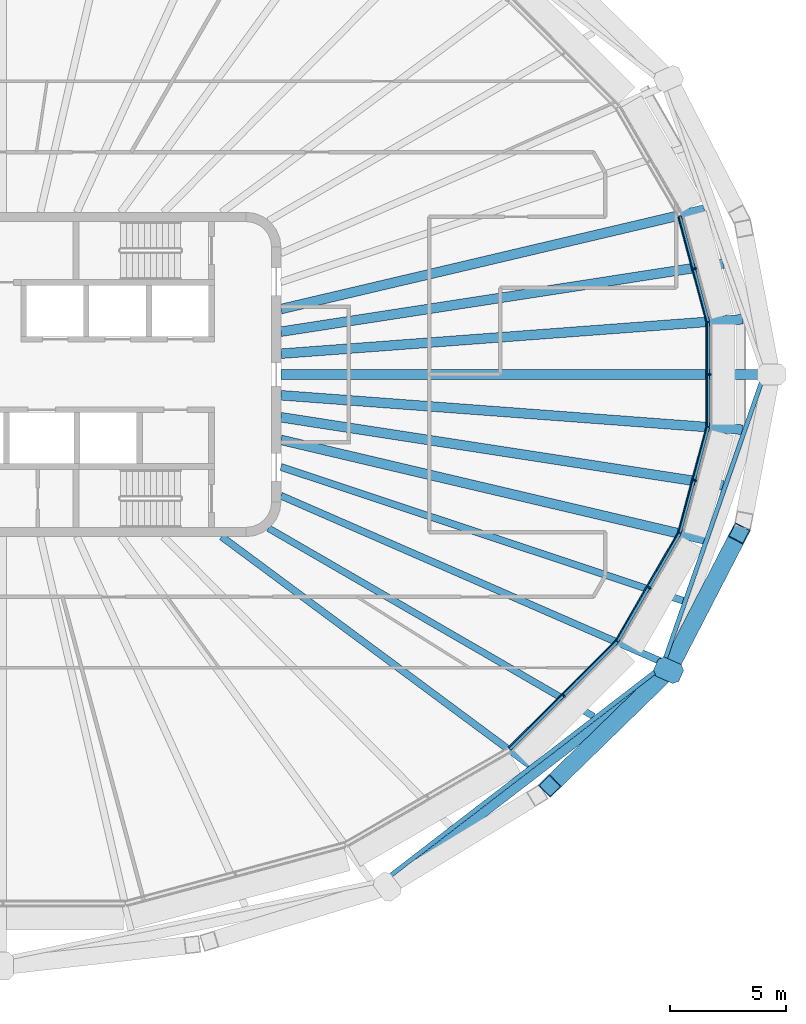
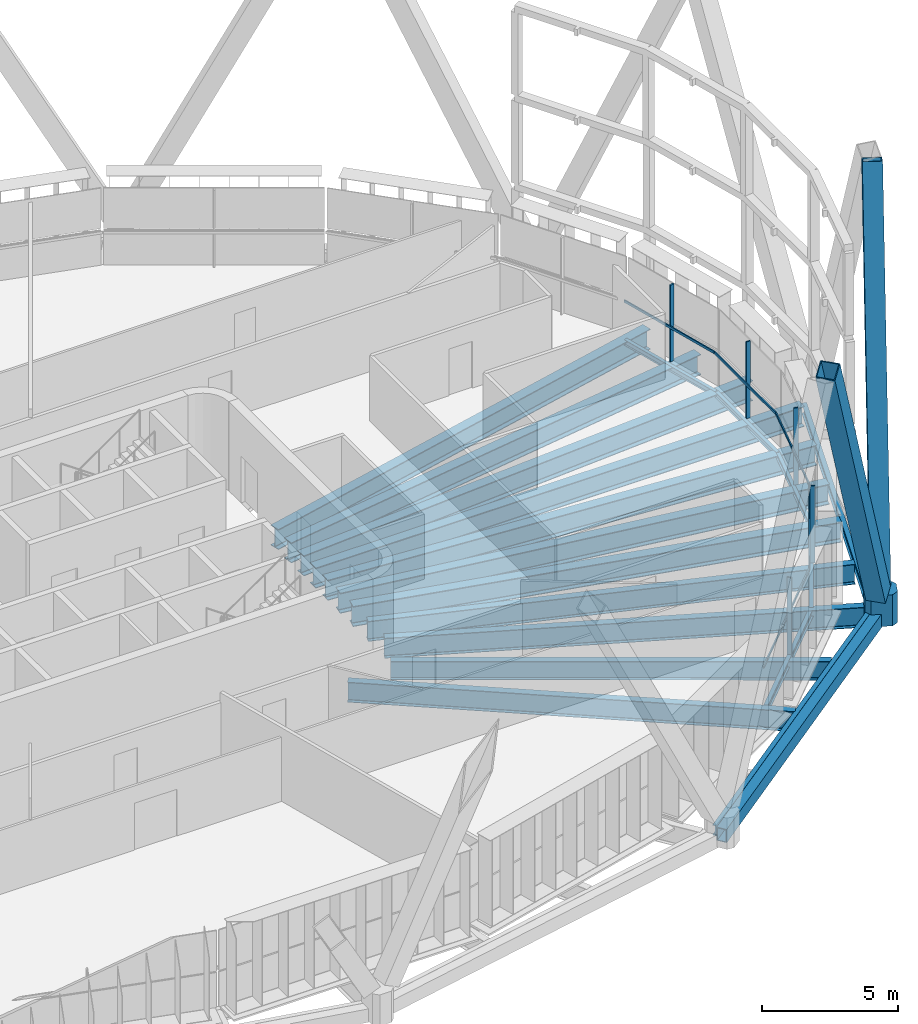
# One storey, part 5 of 23: 19 beams, 13 members, 5 elements without a shape of their own.
"""IFC4 building model written with IfcOpenShell, lengths in metres."""

import ifcopenshell
import ifcopenshell.guid

model = None  # the IFC model being written
_history = None  # IfcOwnerHistory: only IFC2X3 demands one
_inside = {}  # id of a spatial element -> (the spatial element, [elements in it])
_under = {}  # id of a project, library or spatial element -> (it, [spatial elements below it])
_declared = {}  # id of a project -> (the project, [libraries it declares])
_typed = {}  # id of a type object -> (the type object, [elements of that type])
_made_of = {}  # id of a material, layer set ... -> (it, [elements and type objects made of it])


def new_model(schema):
    """Start an empty IFC model of exactly this schema.

    Asked for "IFC4X3", IfcOpenShell would pick the latest addendum, in which some entities
    have other attributes; the version numbers below select the first issue.
    IFC2X3 requires an IfcOwnerHistory on every rooted entity: one is made here for all.
    """
    global model, _history
    if schema == "IFC4X3":
        model = ifcopenshell.file(schema_version=(4, 3, 0, 0))
    else:
        model = ifcopenshell.file(schema=schema)
    _inside.clear()
    _under.clear()
    _declared.clear()
    _typed.clear()
    _made_of.clear()
    _history = None
    if model.schema == "IFC2X3":
        org = make("IfcOrganization", Name="unknown")
        user = make(
            "IfcPersonAndOrganization",
            ThePerson=make("IfcPerson", FamilyName="unknown"),
            TheOrganization=org,
        )
        app = make(
            "IfcApplication",
            ApplicationDeveloper=org,
            Version="unknown",
            ApplicationFullName="unknown",
            ApplicationIdentifier="unknown",
        )
        _history = make(
            "IfcOwnerHistory",
            OwningUser=user,
            OwningApplication=app,
            ChangeAction="ADDED",
            CreationDate=0,
        )
    return model


def make(cls, **values):
    """One entity of the class cls with the attributes given. An attribute that is None is left unset."""
    return model.create_entity(
        cls, **{name: value for name, value in values.items() if value is not None}
    )


def rooted(cls, **values):
    """An entity with a GlobalId (a new one), such as an element, a storey or a relation."""
    return make(cls, GlobalId=ifcopenshell.guid.new(), OwnerHistory=_history, **values)


def si_unit(unit_type, name, prefix=None):
    """IfcSIUnit, for example si_unit("LENGTHUNIT", "METRE", prefix="MILLI")."""
    return make("IfcSIUnit", UnitType=unit_type, Prefix=prefix, Name=name)


def assignment(units):
    """IfcUnitAssignment: the units of a project."""
    return None if units is None else make("IfcUnitAssignment", Units=units)


def point(xyz):
    """IfcCartesianPoint."""
    return None if xyz is None else make("IfcCartesianPoint", Coordinates=xyz)


def direction(xyz):
    """IfcDirection."""
    return None if xyz is None else make("IfcDirection", DirectionRatios=xyz)


def frame(location, z_axis=None, x_axis=None):
    """IfcAxis2Placement3D, a coordinate frame: its origin and axes. An axis left out is left unset."""
    return make(
        "IfcAxis2Placement3D",
        Location=point(location),
        Axis=direction(z_axis),
        RefDirection=direction(x_axis),
    )


def frame_2d(location, x_axis=None):
    """IfcAxis2Placement2D, a coordinate frame in the plane: its origin and x axis."""
    return make(
        "IfcAxis2Placement2D", Location=point(location), RefDirection=direction(x_axis)
    )


def origin():
    """The frame at (0, 0, 0) with its axes left unset."""
    return frame((0.0, 0.0, 0.0))


def origin_2d():
    """The frame at (0, 0) in the plane with its x axis left unset."""
    return frame_2d((0.0, 0.0))


def place(relative_to, where):
    """IfcLocalPlacement: puts the frame where relative to a parent placement (None: the world)."""
    return make(
        "IfcLocalPlacement", PlacementRelTo=relative_to, RelativePlacement=where
    )


def context(
    kind, dimensions, precision=None, world=None, true_north=None, identifier=None
):
    """IfcGeometricRepresentationContext, for example the 3D "Model" context."""
    return make(
        "IfcGeometricRepresentationContext",
        ContextIdentifier=identifier,
        ContextType=kind,
        CoordinateSpaceDimension=dimensions,
        Precision=precision,
        WorldCoordinateSystem=world,
        TrueNorth=true_north,
    )


def subcontext(parent, identifier, kind, view, scale=None):
    """IfcGeometricRepresentationSubContext, for example "Body" below "Model"."""
    return make(
        "IfcGeometricRepresentationSubContext",
        ContextIdentifier=identifier,
        ContextType=kind,
        ParentContext=parent,
        TargetScale=scale,
        TargetView=view,
    )


def project(units=None, contexts=None):
    """IfcProject with its units and contexts."""
    return rooted(
        "IfcProject",
        Name="project",
        RepresentationContexts=contexts,
        UnitsInContext=assignment(units),
    )


def spatial(cls, under=None, at=None, **own):
    """A site, building, storey or space (cls), placed at a placement, below another one or the project."""
    s = rooted(cls, ObjectPlacement=at, **own)
    if under is not None:
        _under.setdefault(under.id(), (under, []))[1].append(s)
    return s


def polyline(points):
    """IfcPolyline through the points."""
    return make("IfcPolyline", Points=[point(p) for p in points])


def profile(cls, at=None, kind="AREA", **sizes):
    """A parametric profile (cls). Its sizes go by their IFC names, for example OverallWidth=200.0."""
    return make(cls, ProfileType=kind, Position=at, **sizes)


def rectangle(**sizes):
    """IfcRectangleProfileDef."""
    return profile("IfcRectangleProfileDef", **sizes)


def hollow_rectangle(**sizes):
    """IfcRectangleHollowProfileDef."""
    return profile("IfcRectangleHollowProfileDef", **sizes)


def i_section(**sizes):
    """IfcIShapeProfileDef."""
    return profile("IfcIShapeProfileDef", **sizes)


def outline(outer, holes=None, kind="AREA"):
    """IfcArbitraryClosedProfileDef: a profile drawn as a closed curve; with holes, ...WithVoids."""
    if holes is None:
        return make("IfcArbitraryClosedProfileDef", ProfileType=kind, OuterCurve=outer)
    return make(
        "IfcArbitraryProfileDefWithVoids",
        ProfileType=kind,
        OuterCurve=outer,
        InnerCurves=holes,
    )


def extrude(swept, where, along, depth):
    """IfcExtrudedAreaSolid: the profile swept, set in the frame where, extruded along a direction by depth."""
    return make(
        "IfcExtrudedAreaSolid",
        SweptArea=swept,
        Position=where,
        ExtrudedDirection=direction(along),
        Depth=depth,
    )


def shape(context_of_items, identifier, shape_type, items):
    """IfcShapeRepresentation: the items that make up one representation, for example the "Body"."""
    return make(
        "IfcShapeRepresentation",
        ContextOfItems=context_of_items,
        RepresentationIdentifier=identifier,
        RepresentationType=shape_type,
        Items=items,
    )


def material(Name=None, Category=None):
    """IfcMaterial."""
    return make("IfcMaterial", Name=Name, Category=Category)


def layer(
    of_material, thickness, ventilated=None, Name=None, Category=None, Priority=None
):
    """IfcMaterialLayer: one layer of a wall or slab, of a material (None: an air gap)."""
    return make(
        "IfcMaterialLayer",
        Material=of_material,
        LayerThickness=thickness,
        IsVentilated=ventilated,
        Name=Name,
        Category=Category,
        Priority=Priority,
    )


def layer_set(layers, Name=None):
    """IfcMaterialLayerSet."""
    return make("IfcMaterialLayerSet", MaterialLayers=layers, LayerSetName=Name)


def material_profile(
    of_material, cross_section, Name=None, Category=None, Priority=None
):
    """IfcMaterialProfile: a cross section and its material."""
    return make(
        "IfcMaterialProfile",
        Name=Name,
        Material=of_material,
        Profile=cross_section,
        Priority=Priority,
        Category=Category,
    )


def profile_set(profiles, Name=None, composite=None):
    """IfcMaterialProfileSet."""
    return make(
        "IfcMaterialProfileSet",
        Name=Name,
        MaterialProfiles=profiles,
        CompositeProfile=composite,
    )


def made_of(thing, what):
    """Note that an element or type object is made of a material, layer set ...; save() writes the relation."""
    if what is not None:
        _made_of.setdefault(what.id(), (what, []))[1].append(thing)
    return thing


def type_object(cls, material=None, **own):
    """A type object (cls), such as IfcWallType, which elements share."""
    return made_of(rooted(cls, **own), material)


def element(
    cls,
    number,
    at=None,
    inside=None,
    cuts=None,
    type_object=None,
    material=None,
    context=None,
    identifier="Body",
    shape_type=None,
    held_by="IfcProductDefinitionShape",
    body=None,
    shapes=None,
    **own,
):
    """One element of the class cls, such as IfcWall. Its Tag is "e" and its number.

    at: its placement. inside: the storey or other place that contains it. cuts: it is an
    opening in that element (IfcRelVoidsElement). A single representation is given by context,
    identifier, shape_type and body (its items); several are given by shapes. held_by: the class
    of the entity that holds the representations. save() writes the other relations.
    """
    e = rooted(cls, Tag="e%d" % number, ObjectPlacement=at, **own)
    if body is not None:
        shapes = [shape(context, identifier, shape_type, body)]
    if shapes is not None:
        e.Representation = make(held_by, Representations=shapes)
    if inside is not None:
        _inside.setdefault(inside.id(), (inside, []))[1].append(e)
    if cuts is not None:
        rooted(
            "IfcRelVoidsElement", RelatingBuildingElement=cuts, RelatedOpeningElement=e
        )
    if type_object is not None:
        _typed.setdefault(type_object.id(), (type_object, []))[1].append(e)
    return made_of(e, material)


def aggregate(whole, parts):
    """IfcRelAggregates: a whole, such as a stair, and the parts it consists of."""
    return rooted("IfcRelAggregates", RelatingObject=whole, RelatedObjects=parts)


def save(model, path):
    """Write the relations noted so far, then the file.

    IfcRelAggregates (storeys below a building ...), IfcRelContainedInSpatialStructure (elements
    in a storey), IfcRelDefinesByType, IfcRelAssociatesMaterial and IfcRelDeclares: one each for
    every whole, place, type object, material and project.
    """
    for whole, parts in _under.values():
        aggregate(whole, parts)
    for where, things in _inside.values():
        rooted(
            "IfcRelContainedInSpatialStructure",
            RelatedElements=things,
            RelatingStructure=where,
        )
    for kind, things in _typed.values():
        rooted("IfcRelDefinesByType", RelatedObjects=things, RelatingType=kind)
    for what, things in _made_of.values():
        rooted("IfcRelAssociatesMaterial", RelatedObjects=things, RelatingMaterial=what)
    for by, libraries in _declared.values():
        rooted("IfcRelDeclares", RelatingContext=by, RelatedDefinitions=libraries)
    model.write(path)


model = new_model("IFC4")

# Units and contexts
model_context = context("Model", 3, precision=1e-05, world=origin(), true_north=direction((0.0, 1.0)))
body_context = subcontext(model_context, "Body", "Model", "MODEL_VIEW")
ifc_project = project(units=[si_unit("LENGTHUNIT", "METRE"), si_unit("AREAUNIT", "SQUARE_METRE"), si_unit("VOLUMEUNIT", "CUBIC_METRE"), si_unit("PLANEANGLEUNIT", "RADIAN"), si_unit("MASSUNIT", "GRAM", prefix="KILO")], contexts=[model_context])

# Site, building, storey
site_placement = place(None, origin())
site = spatial("IfcSite", under=ifc_project, at=site_placement, CompositionType="ELEMENT")
building_placement = place(site_placement, origin())
building = spatial("IfcBuilding", under=site, at=building_placement, Name="Sahrelin Media Tower", CompositionType="ELEMENT")
storey_placement = place(building_placement, frame((0.0, 0.0, 217.60009765625)))
storey = spatial("IfcBuildingStorey", under=building, at=storey_placement, Name="L46", CompositionType="ELEMENT", Elevation=217.60009765625)

# Members
ifc_material_1 = material(Name="Steel S460", Category="steel")
ifc_material_profile_1 = material_profile(ifc_material_1, hollow_rectangle(XDim=0.75, YDim=0.75, WallThickness=0.0400390625, at=origin_2d()), Name="Diagrid diagonal DG6")
ifc_profile_set_1 = profile_set([ifc_material_profile_1], Name="Steel S460")
member_type_1 = type_object("IfcMemberType", Name="Diagrid diagonal DG6", PredefinedType="BRACE", material=ifc_profile_set_1)
member_1_placement = place(storey_placement, frame((28.492919921875, -12.994384765625, 0.699951171875), z_axis=(-0.303560858535, -0.295441665911, 0.905850444173), x_axis=(0.697458219754, -0.716625447286, 0.0)))
element("IfcMember", 1, at=member_1_placement, inside=storey, type_object=member_type_1, Name="Diagrid diagonal D10-21", PredefinedType="BRACE", context=body_context, shape_type="SweptSolid", body=[
    extrude(hollow_rectangle(XDim=0.75, YDim=0.75, WallThickness=0.0400390625, at=origin_2d()), origin(), (0.0, 0.0, 1.0), 16.1171875),
])
member_2_placement = place(storey_placement, frame((28.8671875, -12.49560546875, 0.699951171875), z_axis=(0.182867726985, 0.354403022085, 0.917037563224), x_axis=(-0.888671710677, 0.458543989867, 0.0)))
element("IfcMember", 2, at=member_2_placement, inside=storey, type_object=member_type_1, Name="Diagrid diagonal D10-22", PredefinedType="BRACE", context=body_context, shape_type="SweptSolid", body=[
    extrude(hollow_rectangle(XDim=0.75, YDim=0.75, WallThickness=0.0400390625, at=origin_2d()), origin(), (0.0, 0.0, 1.0), 15.920654296875),
])
ifc_material_profile_2 = material_profile(ifc_material_1, outline(polyline([(0.39990234375, -0.449951171875), (0.60009765625, -0.25), (0.60009765625, 0.25), (0.39990234375, 0.449951171875), (-0.39990234375, 0.449951171875), (-0.60009765625, 0.25), (-0.60009765625, -0.25), (-0.39990234375, -0.449951171875), (0.39990234375, -0.449951171875)])), Name="Diagrid node block 1200")
ifc_profile_set_2 = profile_set([ifc_material_profile_2], Name="Steel S460")
member_type_2 = type_object("IfcMemberType", Name="Diagrid node block 1200", PredefinedType="USERDEFINED", material=ifc_profile_set_2)
member_3_placement = place(storey_placement, frame((28.7275390625, -12.76611328125, -0.7001953125), z_axis=(0.0, 0.0, 1.0), x_axis=(0.91383202582, -0.406092389223, 0.0)))
element("IfcMember", 3, at=member_3_placement, inside=storey, type_object=member_type_2, Name="Diagrid node N10-11", ObjectType="NODE", PredefinedType="USERDEFINED", context=body_context, shape_type="SweptSolid", body=[
    extrude(outline(polyline([(0.39990234375, -0.449951171875), (0.60009765625, -0.25), (0.60009765625, 0.25), (0.39990234375, 0.449951171875), (-0.39990234375, 0.449951171875), (-0.60009765625, 0.25), (-0.60009765625, -0.25), (-0.39990234375, -0.449951171875), (0.39990234375, -0.449951171875)])), origin(), (0.0, 0.0, 1.0), 1.400146484375),
])

# Beams
ifc_material_profile_3 = material_profile(ifc_material_1, hollow_rectangle(XDim=0.39990234375, YDim=0.60009765625, WallThickness=0.030029296875, at=origin_2d()), Name="Diagrid ring beam RB1")
ifc_profile_set_3 = profile_set([ifc_material_profile_3], Name="Steel S460")
beam_type_1 = type_object("IfcBeamType", Name="Diagrid ring beam RB1", PredefinedType="BEAM", material=ifc_profile_set_3)
beam_1_placement = place(storey_placement, frame((16.5859375, -22.111572265625, -0.4501953125), z_axis=(0.792442102004, 0.609947141129, 0.0), x_axis=(-0.609947141129, 0.792442102004, 0.0)))
element("IfcBeam", 4, at=beam_1_placement, inside=storey, type_object=beam_type_1, Name="Diagrid ring beam RB10-10", PredefinedType="BEAM", context=body_context, shape_type="SweptSolid", body=[
    extrude(hollow_rectangle(XDim=0.39990234375, YDim=0.60009765625, WallThickness=0.030029296875, at=origin_2d()), origin(), (0.0, 0.0, 1.0), 15.32177734375),
])
ifc_material_2 = material(Name="Steel S355", Category="steel")
ifc_material_profile_4 = material_profile(ifc_material_2, i_section(OverallWidth=0.14599609375, OverallDepth=0.25146484375, WebThickness=0.006103515625, FlangeThickness=0.008544921875, FilletRadius=0.007568359375, at=origin_2d()), Name="UB 254x146x31")
ifc_profile_set_4 = profile_set([ifc_material_profile_4], Name="Steel S355")
beam_type_2 = type_object("IfcBeamType", Name="Edge beam EB1", PredefinedType="BEAM", material=ifc_profile_set_4)
beam_2_placement = place(storey_placement, frame((30.4326171875, 2.25048828125, -0.27587890625), z_axis=(0.0, -1.0, 0.0), x_axis=(1.0, 0.0, 0.0)))
element("IfcBeam", 5, at=beam_2_placement, inside=storey, type_object=beam_type_2, Name="Edge beam L46-01", PredefinedType="BEAM", context=body_context, shape_type="SweptSolid", body=[
    extrude(i_section(OverallWidth=0.14599609375, OverallDepth=0.25146484375, WebThickness=0.006103515625, FlangeThickness=0.008544921875, FilletRadius=0.007568359375, at=origin_2d()), origin(), (0.0, 0.0, 1.0), 4.5009765625),
])
for number, where, z_axis, x_axis, name in (
    (6, (30.4287109375, -2.279296875, -0.27587890625), (-0.258781853535, -0.965935790972, 0.0), (0.965935790972, -0.258781853535, 0.0), "Edge beam L46-02"),
    (7, (29.209716796875, 6.829345703125, -0.27587890625), (0.258781853535, -0.965935790972, 0.0), (0.965935790972, 0.258781853535, 0.0), "Edge beam L46-24"),
):
    element("IfcBeam", number, at=place(storey_placement, frame(where, z_axis=z_axis, x_axis=x_axis)), inside=storey, type_object=beam_type_2, Name=name, PredefinedType="BEAM", context=body_context, shape_type="SweptSolid", body=[
        extrude(i_section(OverallWidth=0.14599609375, OverallDepth=0.25146484375, WebThickness=0.006103515625, FlangeThickness=0.008544921875, FilletRadius=0.007568359375, at=origin_2d()), origin(), (0.0, 0.0, 1.0), 4.71044921875),
    ])
ifc_material_profile_5 = material_profile(ifc_material_2, i_section(OverallWidth=0.1650390625, OverallDepth=0.303466796875, WebThickness=0.006103515625, FlangeThickness=0.01025390625, FilletRadius=0.0087890625, at=origin_2d()), Name="UB 305x165x40")
ifc_profile_set_5 = profile_set([ifc_material_profile_5], Name="Steel S355")
beam_type_3 = type_object("IfcBeamType", Name="Edge beam EB2", PredefinedType="BEAM", material=ifc_profile_set_5)
beam_3_placement = place(storey_placement, frame((29.19873046875, -6.85595703125, -0.3017578125), z_axis=(-0.500007141444, -0.86602128063, 0.0), x_axis=(0.86602128063, -0.500007141444, 0.0)))
element("IfcBeam", 8, at=beam_3_placement, inside=storey, type_object=beam_type_3, Name="Edge beam L46-03", PredefinedType="BEAM", context=body_context, shape_type="SweptSolid", body=[
    extrude(i_section(OverallWidth=0.1650390625, OverallDepth=0.303466796875, WebThickness=0.006103515625, FlangeThickness=0.01025390625, FilletRadius=0.0087890625, at=origin_2d()), origin(), (0.0, 0.0, 1.0), 5.36962890625),
])
ifc_material_profile_6 = material_profile(ifc_material_2, i_section(OverallWidth=0.17138671875, OverallDepth=0.35498046875, WebThickness=0.00732421875, FlangeThickness=0.011474609375, FilletRadius=0.01025390625, at=origin_2d()), Name="UB 356x171x51")
ifc_profile_set_6 = profile_set([ifc_material_profile_6], Name="Steel S355")
beam_type_4 = type_object("IfcBeamType", Name="Edge beam EB3", PredefinedType="BEAM", material=ifc_profile_set_6)
beam_4_placement = place(storey_placement, frame((26.496337890625, -11.52880859375, -0.32763671875), z_axis=(-0.707088109482, -0.707125452398, 0.0), x_axis=(0.707125452398, -0.707088109482, 0.0)))
element("IfcBeam", 9, at=beam_4_placement, inside=storey, type_object=beam_type_4, Name="Edge beam L46-04", PredefinedType="BEAM", context=body_context, shape_type="SweptSolid", body=[
    extrude(i_section(OverallWidth=0.17138671875, OverallDepth=0.35498046875, WebThickness=0.00732421875, FlangeThickness=0.011474609375, FilletRadius=0.01025390625, at=origin_2d()), origin(), (0.0, 0.0, 1.0), 6.537841796875),
])

# Curtain wall, member
ifc_material_3 = material(Name="Champagne anodised aluminium 6063-T6", Category="aluminium")
ifc_layer = layer(ifc_material_3, 0.14990234375)
ifc_layer_set = layer_set([ifc_layer], Name="Tower ribbon curtain wall")
curtain_wall_type = type_object("IfcCurtainWallType", Name="Tower ribbon curtain wall", PredefinedType="NOTDEFINED", material=ifc_layer_set)
curtain_wall_1_placement = place(storey_placement, frame((30.58251953125, 0.0, 0.0), z_axis=(0.0, 0.0, 1.0), x_axis=(1.0, 0.0, 0.0)))
curtain_wall_1 = element("IfcCurtainWall", 10, at=curtain_wall_1_placement, inside=storey, type_object=curtain_wall_type, Name="L46:CW:L46-00", PredefinedType="NOTDEFINED")
ifc_material_profile_7 = material_profile(ifc_material_3, rectangle(XDim=0.06005859375, YDim=0.175048828125, at=origin_2d()), Name="Mullion 60x175")
ifc_profile_set_7 = profile_set([ifc_material_profile_7], Name="Champagne anodised aluminium 6063-T6")
member_type_3 = type_object("IfcMemberType", Name="Mullion 60x175 CW1B", PredefinedType="MULLION", material=ifc_profile_set_7)
member_4_placement = place(storey_placement, frame((30.47509765625, 0.0, 0.0), z_axis=(0.0, 0.0, 1.0), x_axis=(0.0, 1.0, 0.0)))
member_4 = element("IfcMember", 11, at=member_4_placement, type_object=member_type_3, Name="L46:CWM:L46-00", PredefinedType="MULLION", context=body_context, shape_type="SweptSolid", body=[
    extrude(rectangle(XDim=0.06005859375, YDim=0.175048828125, at=origin_2d()), origin(), (0.0, 0.0, 1.0), 3.448486328125),
])

curtain_wall_2_placement = place(storey_placement, frame((29.964111328125, 4.593017578125, 0.0), z_axis=(0.0, 0.0, 1.0), x_axis=(1.0, 0.0, 0.0)))
curtain_wall_2 = element("IfcCurtainWall", 12, at=curtain_wall_2_placement, inside=storey, type_object=curtain_wall_type, Name="L46:CW:L46-01", PredefinedType="NOTDEFINED")
member_5_placement = place(storey_placement, frame((29.8603515625, 4.565185546875, 0.0), z_axis=(0.0, 0.0, 1.0), x_axis=(-0.258812301662, 0.965927633163, 0.0)))
member_5 = element("IfcMember", 13, at=member_5_placement, type_object=member_type_3, Name="L46:CWM:L46-01", PredefinedType="MULLION", context=body_context, shape_type="SweptSolid", body=[
    extrude(rectangle(XDim=0.06005859375, YDim=0.175048828125, at=origin_2d()), origin(), (0.0, 0.0, 1.0), 3.448486328125),
])

curtain_wall_3_placement = place(storey_placement, frame((24.291015625, -13.9462890625, 0.0), z_axis=(0.0, 0.0, 1.0), x_axis=(1.0, 0.0, 0.0)))
curtain_wall_3 = element("IfcCurtainWall", 14, at=curtain_wall_3_placement, inside=storey, type_object=curtain_wall_type, Name="L46:CW:L46-21", PredefinedType="NOTDEFINED")
member_6_placement = place(storey_placement, frame((24.215087890625, -13.870361328125, 0.0), z_axis=(0.0, 0.0, 1.0), x_axis=(0.707106781187, 0.707106781187, 0.0)))
member_6 = element("IfcMember", 15, at=member_6_placement, type_object=member_type_3, Name="L46:CWM:L46-21", PredefinedType="MULLION", context=body_context, shape_type="SweptSolid", body=[
    extrude(rectangle(XDim=0.06005859375, YDim=0.175048828125, at=origin_2d()), origin(), (0.0, 0.0, 1.0), 3.448486328125),
])

curtain_wall_4_placement = place(storey_placement, frame((27.986083984375, -9.256103515625, 0.0), z_axis=(0.0, 0.0, 1.0), x_axis=(1.0, 0.0, 0.0)))
curtain_wall_4 = element("IfcCurtainWall", 16, at=curtain_wall_4_placement, inside=storey, type_object=curtain_wall_type, Name="L46:CW:L46-22", PredefinedType="NOTDEFINED")
member_7_placement = place(storey_placement, frame((27.89306640625, -9.2021484375, 0.0), z_axis=(0.0, 0.0, 1.0), x_axis=(0.499995465495, 0.866028021766, 0.0)))
member_7 = element("IfcMember", 17, at=member_7_placement, type_object=member_type_3, Name="L46:CWM:L46-22", PredefinedType="MULLION", context=body_context, shape_type="SweptSolid", body=[
    extrude(rectangle(XDim=0.06005859375, YDim=0.175048828125, at=origin_2d()), origin(), (0.0, 0.0, 1.0), 3.448486328125),
])

curtain_wall_5_placement = place(storey_placement, frame((29.964111328125, -4.593017578125, 0.0), z_axis=(0.0, 0.0, 1.0), x_axis=(1.0, 0.0, 0.0)))
curtain_wall_5 = element("IfcCurtainWall", 18, at=curtain_wall_5_placement, inside=storey, type_object=curtain_wall_type, Name="L46:CW:L46-23", PredefinedType="NOTDEFINED")
member_8_placement = place(storey_placement, frame((29.8603515625, -4.565185546875, 0.0), z_axis=(0.0, 0.0, 1.0), x_axis=(0.258812301662, 0.965927633163, 0.0)))
member_8 = element("IfcMember", 19, at=member_8_placement, type_object=member_type_3, Name="L46:CWM:L46-23", PredefinedType="MULLION", context=body_context, shape_type="SweptSolid", body=[
    extrude(rectangle(XDim=0.06005859375, YDim=0.175048828125, at=origin_2d()), origin(), (0.0, 0.0, 1.0), 3.448486328125),
])

# Beams
ifc_material_profile_8 = material_profile(ifc_material_2, i_section(OverallWidth=0.30322265625, OverallDepth=0.903076171875, WebThickness=0.01513671875, FlangeThickness=0.020263671875, FilletRadius=0.01904296875, at=origin_2d()), Name="UB 914x305x201")
ifc_profile_set_8 = profile_set([ifc_material_profile_8], Name="Steel S355")
beam_type_5 = type_object("IfcBeamType", Name="Radial primary beam PB11", PredefinedType="BEAM", material=ifc_profile_set_8)
beam_5_placement = place(storey_placement, frame((9.43896484375, -7.0, -0.6015625), z_axis=(0.803225834656, -0.595674624725, 0.0), x_axis=(0.595674624725, 0.803225834656, 0.0)))
element("IfcBeam", 20, at=beam_5_placement, inside=storey, type_object=beam_type_5, Name="Radial beam L46-21", PredefinedType="BEAM", context=body_context, shape_type="SweptSolid", body=[
    extrude(i_section(OverallWidth=0.30322265625, OverallDepth=0.903076171875, WebThickness=0.01513671875, FlangeThickness=0.020263671875, FilletRadius=0.01904296875, at=origin_2d()), origin(), (0.0, 0.0, 1.0), 16.5693359375),
])
beam_6_placement = place(storey_placement, frame((12.0, -5.232666015625, -0.6015625), z_axis=(0.916640711355, -0.39971215429, 0.0), x_axis=(0.39971215429, 0.916640711355, 0.0)))
element("IfcBeam", 21, at=beam_6_placement, inside=storey, type_object=beam_type_5, Name="Radial beam L46-22", PredefinedType="BEAM", context=body_context, shape_type="SweptSolid", body=[
    extrude(i_section(OverallWidth=0.30322265625, OverallDepth=0.903076171875, WebThickness=0.01513671875, FlangeThickness=0.020263671875, FilletRadius=0.01904296875, at=origin_2d()), origin(), (0.0, 0.0, 1.0), 17.930908203125),
])
ifc_material_profile_9 = material_profile(ifc_material_2, i_section(OverallWidth=0.41845703125, OverallDepth=0.911865234375, WebThickness=0.019287109375, FlangeThickness=0.031982421875, FilletRadius=0.024169921875, at=origin_2d()), Name="UB 914x419x343")
ifc_profile_set_9 = profile_set([ifc_material_profile_9], Name="Steel S355")
beam_type_6 = type_object("IfcBeamType", Name="Radial primary beam PB12", PredefinedType="BEAM", material=ifc_profile_set_9)
beam_7_placement = place(storey_placement, frame((12.0, 0.896484375, -0.60595703125), z_axis=(0.997220505113, 0.07450680628, 0.0), x_axis=(-0.07450680628, 0.997220505113, 0.0)))
element("IfcBeam", 22, at=beam_7_placement, inside=storey, type_object=beam_type_6, Name="Radial beam L46-01", PredefinedType="BEAM", context=body_context, shape_type="SweptSolid", body=[
    extrude(i_section(OverallWidth=0.41845703125, OverallDepth=0.911865234375, WebThickness=0.019287109375, FlangeThickness=0.031982421875, FilletRadius=0.024169921875, at=origin_2d()), origin(), (0.0, 0.0, 1.0), 19.978271484375),
])
for number, where, z_axis, x_axis, name in (
    (23, (12.0, 2.822021484375, -0.60595703125), (0.97344462055, 0.228922630429, 0.0), (-0.228922630429, 0.97344462055, 0.0), "Radial beam L46-02"),
    (24, (12.0, -2.822021484375, -0.60595703125), (0.97344462055, -0.228922630429, 0.0), (0.228922630429, 0.97344462055, 0.0), "Radial beam L46-23"),
):
    element("IfcBeam", number, at=place(storey_placement, frame(where, z_axis=z_axis, x_axis=x_axis)), inside=storey, type_object=beam_type_6, Name=name, PredefinedType="BEAM", context=body_context, shape_type="SweptSolid", body=[
        extrude(i_section(OverallWidth=0.41845703125, OverallDepth=0.911865234375, WebThickness=0.019287109375, FlangeThickness=0.031982421875, FilletRadius=0.024169921875, at=origin_2d()), origin(), (0.0, 0.0, 1.0), 18.773193359375),
    ])
beam_8_placement = place(storey_placement, frame((12.0, -0.896484375, -0.60595703125), z_axis=(0.997220505113, -0.07450680628, 0.0), x_axis=(0.07450680628, 0.997220505113, 0.0)))
element("IfcBeam", 25, at=beam_8_placement, inside=storey, type_object=beam_type_6, Name="Radial beam L46-24", PredefinedType="BEAM", context=body_context, shape_type="SweptSolid", body=[
    extrude(i_section(OverallWidth=0.41845703125, OverallDepth=0.911865234375, WebThickness=0.019287109375, FlangeThickness=0.031982421875, FilletRadius=0.024169921875, at=origin_2d()), origin(), (0.0, 0.0, 1.0), 19.978271484375),
])
ifc_material_profile_10 = material_profile(ifc_material_2, i_section(OverallWidth=0.291748046875, OverallDepth=0.8349609375, WebThickness=0.013916015625, FlangeThickness=0.018798828125, FilletRadius=0.017822265625, at=origin_2d()), Name="UB 838x292x176")
ifc_profile_set_10 = profile_set([ifc_material_profile_10], Name="Steel S355")
beam_type_7 = type_object("IfcBeamType", Name="Radial secondary beam SB10", PredefinedType="BEAM", material=ifc_profile_set_10)
beam_9_placement = place(storey_placement, frame((11.464111328125, -6.634765625, -0.567626953125), z_axis=(0.865492266569, -0.500922285899, 0.0), x_axis=(0.500922285899, 0.865492266569, 0.0)))
element("IfcBeam", 26, at=beam_9_placement, inside=storey, type_object=beam_type_7, Name="Secondary beam L46-21", PredefinedType="BEAM", context=body_context, shape_type="SweptSolid", body=[
    extrude(i_section(OverallWidth=0.291748046875, OverallDepth=0.8349609375, WebThickness=0.013916015625, FlangeThickness=0.018798828125, FilletRadius=0.017822265625, at=origin_2d()), origin(), (0.0, 0.0, 1.0), 16.21142578125),
])
ifc_material_profile_11 = material_profile(ifc_material_2, i_section(OverallWidth=0.30322265625, OverallDepth=0.903076171875, WebThickness=0.01513671875, FlangeThickness=0.020263671875, FilletRadius=0.01904296875, at=origin_2d()), Name="UB 914x305x201")
ifc_profile_set_11 = profile_set([ifc_material_profile_11], Name="Steel S355")
beam_type_8 = type_object("IfcBeamType", Name="Radial secondary beam SB11", PredefinedType="BEAM", material=ifc_profile_set_11)
beam_10_placement = place(storey_placement, frame((12.0, -3.9912109375, -0.6015625), z_axis=(0.948893999839, -0.315594957293, 0.0), x_axis=(0.315594957293, 0.948893999839, 0.0)))
element("IfcBeam", 27, at=beam_10_placement, inside=storey, type_object=beam_type_8, Name="Secondary beam L46-22", PredefinedType="BEAM", context=body_context, shape_type="SweptSolid", body=[
    extrude(i_section(OverallWidth=0.30322265625, OverallDepth=0.903076171875, WebThickness=0.01513671875, FlangeThickness=0.020263671875, FilletRadius=0.01904296875, at=origin_2d()), origin(), (0.0, 0.0, 1.0), 18.2890625),
])
ifc_material_profile_12 = material_profile(ifc_material_2, i_section(OverallWidth=0.41845703125, OverallDepth=0.911865234375, WebThickness=0.019287109375, FlangeThickness=0.031982421875, FilletRadius=0.024169921875, at=origin_2d()), Name="UB 914x419x343")
ifc_profile_set_12 = profile_set([ifc_material_profile_12], Name="Steel S355")
beam_type_9 = type_object("IfcBeamType", Name="Radial secondary beam SB12", PredefinedType="BEAM", material=ifc_profile_set_12)
for number, where, z_axis, x_axis, name in (
    (28, (12.0, 1.84765625, -0.60595703125), (0.988352105304, 0.152184479965, 0.0), (-0.152184479965, 0.988352105304, 0.0), "Secondary beam L46-01"),
    (29, (12.0, -1.84765625, -0.60595703125), (0.988352105304, -0.152184479965, 0.0), (0.152184479965, 0.988352105304, 0.0), "Secondary beam L46-23"),
):
    element("IfcBeam", number, at=place(storey_placement, frame(where, z_axis=z_axis, x_axis=x_axis)), inside=storey, type_object=beam_type_9, Name=name, PredefinedType="BEAM", context=body_context, shape_type="SweptSolid", body=[
        extrude(i_section(OverallWidth=0.41845703125, OverallDepth=0.911865234375, WebThickness=0.019287109375, FlangeThickness=0.031982421875, FilletRadius=0.024169921875, at=origin_2d()), origin(), (0.0, 0.0, 1.0), 19.311767578125),
    ])
beam_11_placement = place(storey_placement, frame((12.0, 0.0, -0.60595703125), z_axis=(1.0, 0.0, 0.0), x_axis=(0.0, 1.0, 0.0)))
element("IfcBeam", 30, at=beam_11_placement, inside=storey, type_object=beam_type_9, Name="Secondary beam L46-24", PredefinedType="BEAM", context=body_context, shape_type="SweptSolid", body=[
    extrude(i_section(OverallWidth=0.41845703125, OverallDepth=0.911865234375, WebThickness=0.019287109375, FlangeThickness=0.031982421875, FilletRadius=0.024169921875, at=origin_2d()), origin(), (0.0, 0.0, 1.0), 20.753173828125),
])
ifc_material_profile_13 = material_profile(ifc_material_2, i_section(OverallWidth=0.1904296875, OverallDepth=0.45703125, WebThickness=0.009033203125, FlangeThickness=0.014404296875, FilletRadius=0.01025390625, at=origin_2d()), Name="UB 457x191x74")
ifc_profile_set_13 = profile_set([ifc_material_profile_13], Name="Steel S355")
beam_type_10 = type_object("IfcBeamType", Name="Tie chord TC5", PredefinedType="BEAM", material=ifc_profile_set_13)
beam_12_placement = place(storey_placement, frame((32.85400390625, 0.0, -0.378662109375), z_axis=(-0.328788550839, -0.944403562486, 0.0), x_axis=(0.944403562486, -0.328788550839, 0.0)))
element("IfcBeam", 31, at=beam_12_placement, inside=storey, type_object=beam_type_10, Name="Tie chord L46-01", PredefinedType="BEAM", context=body_context, shape_type="SweptSolid", body=[
    extrude(i_section(OverallWidth=0.1904296875, OverallDepth=0.45703125, WebThickness=0.009033203125, FlangeThickness=0.014404296875, FilletRadius=0.01025390625, at=origin_2d()), origin(), (0.0, 0.0, 1.0), 13.323486328125),
])
beam_13_placement = place(storey_placement, frame((28.473388671875, -12.582763671875, -0.378662109375), z_axis=(-0.792446783921, -0.609941058344, 0.0), x_axis=(0.609941058344, -0.792446783921, 0.0)))
element("IfcBeam", 32, at=beam_13_placement, inside=storey, type_object=beam_type_10, Name="Tie chord L46-02", PredefinedType="BEAM", context=body_context, shape_type="SweptSolid", body=[
    extrude(i_section(OverallWidth=0.1904296875, OverallDepth=0.45703125, WebThickness=0.009033203125, FlangeThickness=0.014404296875, FilletRadius=0.01025390625, at=origin_2d()), origin(), (0.0, 0.0, 1.0), 15.1630859375),
])

# Member
ifc_material_profile_14 = material_profile(ifc_material_3, rectangle(XDim=0.050048828125, YDim=0.110107421875, at=origin_2d()), Name="Transom 50x110")
ifc_profile_set_14 = profile_set([ifc_material_profile_14], Name="Champagne anodised aluminium 6063-T6")
member_type_4 = type_object("IfcMemberType", Name="Transom 50x110 CW1B", PredefinedType="USERDEFINED", material=ifc_profile_set_14)
member_9_placement = place(storey_placement, frame((30.362548828125, -2.23486328125, 1.599853515625), z_axis=(0.0, 1.0, 0.0), x_axis=(-1.0, 0.0, 0.0)))
member_9 = element("IfcMember", 33, at=member_9_placement, type_object=member_type_4, Name="L46:CWT:L46-00", ObjectType="TRANSOM", PredefinedType="USERDEFINED", context=body_context, shape_type="SweptSolid", body=[
    extrude(rectangle(XDim=0.050048828125, YDim=0.110107421875, at=origin_2d()), origin(), (0.0, 0.0, 1.0), 4.4697265625),
])

aggregate(curtain_wall_1, [member_4, member_9])

member_10_placement = place(storey_placement, frame((30.357177734375, 2.2763671875, 1.599853515625), z_axis=(-0.258854317892, 0.965916374283, 0.0), x_axis=(-0.965916374283, -0.258854317892, 0.0)))
member_10 = element("IfcMember", 34, at=member_10_placement, type_object=member_type_4, Name="L46:CWT:L46-01", ObjectType="TRANSOM", PredefinedType="USERDEFINED", context=body_context, shape_type="SweptSolid", body=[
    extrude(rectangle(XDim=0.050048828125, YDim=0.110107421875, at=origin_2d()), origin(), (0.0, 0.0, 1.0), 4.678955078125),
])

aggregate(curtain_wall_2, [member_5, member_10])

member_11_placement = place(storey_placement, frame((21.835205078125, -16.09130859375, 1.599853515625), z_axis=(0.707088019315, 0.70712554256, 0.0), x_axis=(-0.70712554256, 0.707088019315, 0.0)))
member_11 = element("IfcMember", 35, at=member_11_placement, type_object=member_type_4, Name="L46:CWT:L46-21", ObjectType="TRANSOM", PredefinedType="USERDEFINED", context=body_context, shape_type="SweptSolid", body=[
    extrude(rectangle(XDim=0.050048828125, YDim=0.110107421875, at=origin_2d()), origin(), (0.0, 0.0, 1.0), 6.50634765625),
])

aggregate(curtain_wall_3, [member_6, member_11])

member_12_placement = place(storey_placement, frame((26.461181640625, -11.45751953125, 1.599853515625), z_axis=(0.499975827765, 0.866039359181, 0.0), x_axis=(-0.866039359181, 0.499975827765, 0.0)))
member_12 = element("IfcMember", 36, at=member_12_placement, type_object=member_type_4, Name="L46:CWT:L46-22", ObjectType="TRANSOM", PredefinedType="USERDEFINED", context=body_context, shape_type="SweptSolid", body=[
    extrude(rectangle(XDim=0.050048828125, YDim=0.110107421875, at=origin_2d()), origin(), (0.0, 0.0, 1.0), 5.338134765625),
])

aggregate(curtain_wall_4, [member_7, member_12])

member_13_placement = place(storey_placement, frame((29.14599609375, -6.7958984375, 1.599853515625), z_axis=(0.258854317892, 0.965916374283, 0.0), x_axis=(-0.965916374283, 0.258854317892, 0.0)))
member_13 = element("IfcMember", 37, at=member_13_placement, type_object=member_type_4, Name="L46:CWT:L46-23", ObjectType="TRANSOM", PredefinedType="USERDEFINED", context=body_context, shape_type="SweptSolid", body=[
    extrude(rectangle(XDim=0.050048828125, YDim=0.110107421875, at=origin_2d()), origin(), (0.0, 0.0, 1.0), 4.678955078125),
])

aggregate(curtain_wall_5, [member_8, member_13])

save(model, "model.ifc")
